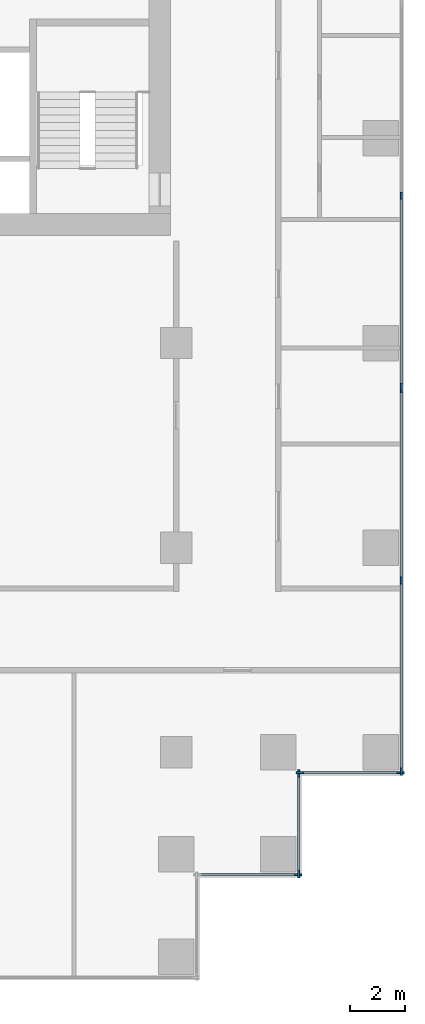
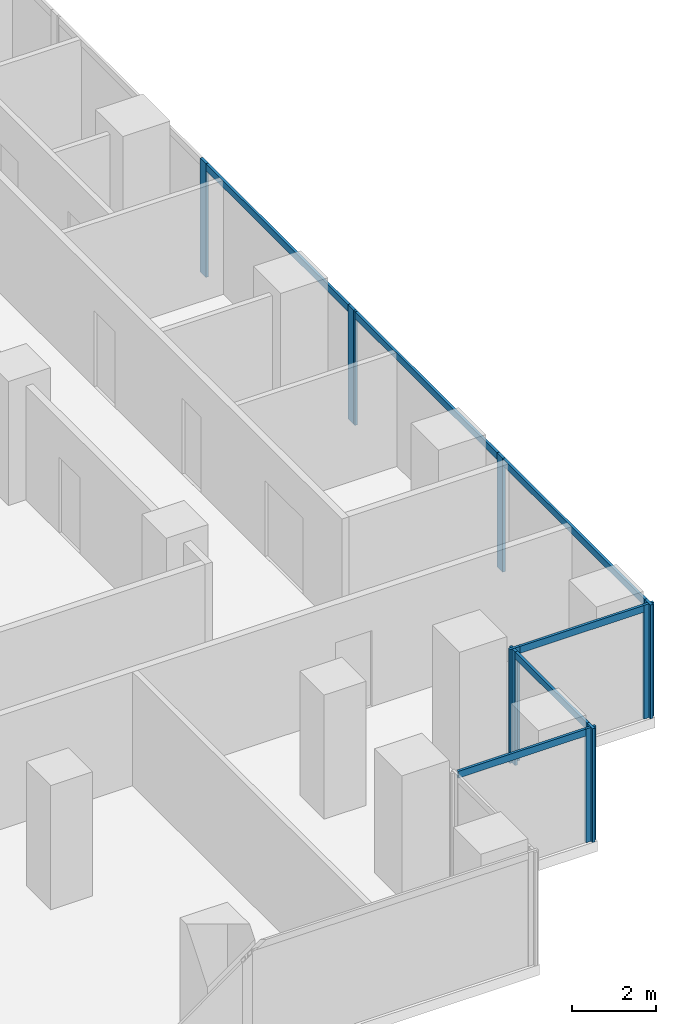
# One storey, part 3 of 10: 16 members, 5 elements without a shape of their own.
"""IFC4 building model written with IfcOpenShell, lengths in metres."""

from ifc_helpers import new_model, si_unit, direction, frame, origin, origin_2d, place, context, subcontext, project, spatial, rectangle, extrude, material, material_profile, profile_set, type_object, element, aggregate, save


model = new_model("IFC4")

# Units and contexts
model_context = context("Model", 3, precision=1e-05, world=origin(), true_north=direction((0.0, 1.0)))
body_context = subcontext(model_context, "Body", "Model", "MODEL_VIEW")
ifc_project = project(units=[si_unit("LENGTHUNIT", "METRE"), si_unit("AREAUNIT", "SQUARE_METRE"), si_unit("VOLUMEUNIT", "CUBIC_METRE"), si_unit("PLANEANGLEUNIT", "RADIAN"), si_unit("MASSUNIT", "GRAM", prefix="KILO")], contexts=[model_context])

# Site, building, storey
site_placement = place(None, origin())
site = spatial("IfcSite", under=ifc_project, at=site_placement, CompositionType="ELEMENT")
building_placement = place(site_placement, origin())
building = spatial("IfcBuilding", under=site, at=building_placement, Name="Pilkhan Gate Tower", CompositionType="ELEMENT")
storey_placement = place(building_placement, frame((0.0, 0.0, 132.39990234375)))
storey = spatial("IfcBuildingStorey", under=building, at=storey_placement, Name="L33", CompositionType="ELEMENT", Elevation=132.39990234375)

# Curtain wall, members
ifc_material_1 = material(Name="Pale anodised aluminium, clear low-iron double glazing", Category="aluminium")
curtain_wall_type = type_object("IfcCurtainWallType", Name="Office unitised curtain wall CW-O1", PredefinedType="USERDEFINED", material=ifc_material_1)
curtain_wall_1_placement = place(storey_placement, origin())
curtain_wall_1 = element("IfcCurtainWall", 1, at=curtain_wall_1_placement, inside=storey, type_object=curtain_wall_type, Name="Office unitised curtain wall CW-O1 L33 E", ObjectType="UNITISED CURTAIN WALL", PredefinedType="USERDEFINED")
ifc_material_2 = material(Name="Pale anodised aluminium", Category="aluminium")
ifc_material_profile_1 = material_profile(ifc_material_2, rectangle(XDim=0.070068359375, YDim=0.27490234375, at=origin_2d()), Name="Mullion 275x70")
ifc_profile_set_1 = profile_set([ifc_material_profile_1], Name="Pale anodised aluminium")
member_type_1 = type_object("IfcMemberType", Name="Mullion CW-O1 275x70", PredefinedType="MULLION", material=ifc_profile_set_1)
member_1_placement = place(storey_placement, frame((98.25, 51.784912109375, 0.0), z_axis=(0.0, 0.0, 1.0), x_axis=(-1.0, 0.0, 0.0)))
member_1 = element("IfcMember", 2, at=member_1_placement, type_object=member_type_1, Name="CW-O1 mullion 1", PredefinedType="MULLION", context=body_context, shape_type="SweptSolid", body=[
    extrude(rectangle(XDim=0.070068359375, YDim=0.27490234375, at=origin_2d()), origin(), (0.0, 0.0, 1.0), 3.300048828125),
])
member_2_placement = place(storey_placement, frame((98.25, 58.800048828125, 0.0), z_axis=(0.0, 0.0, 1.0), x_axis=(-1.0, 0.0, 0.0)))
member_2 = element("IfcMember", 3, at=member_2_placement, type_object=member_type_1, Name="CW-O1 mullion 2", PredefinedType="MULLION", context=body_context, shape_type="SweptSolid", body=[
    extrude(rectangle(XDim=0.070068359375, YDim=0.27490234375, at=origin_2d()), origin(), (0.0, 0.0, 1.0), 3.300048828125),
])
member_3_placement = place(storey_placement, frame((98.25, 65.81494140625, 0.0), z_axis=(0.0, 0.0, 1.0), x_axis=(-1.0, 0.0, 0.0)))
member_3 = element("IfcMember", 4, at=member_3_placement, type_object=member_type_1, Name="CW-O1 mullion 3", PredefinedType="MULLION", context=body_context, shape_type="SweptSolid", body=[
    extrude(rectangle(XDim=0.070068359375, YDim=0.27490234375, at=origin_2d()), origin(), (0.0, 0.0, 1.0), 3.300048828125),
])

curtain_wall_2_placement = place(storey_placement, origin())
curtain_wall_2 = element("IfcCurtainWall", 5, at=curtain_wall_2_placement, inside=storey, type_object=curtain_wall_type, Name="Office unitised curtain wall CW-O1 L33 E", ObjectType="UNITISED CURTAIN WALL", PredefinedType="USERDEFINED")
member_4_placement = place(storey_placement, frame((98.25, 65.885009765625, 0.0), z_axis=(0.0, 0.0, 1.0), x_axis=(-1.0, 0.0, 0.0)))
member_4 = element("IfcMember", 6, at=member_4_placement, type_object=member_type_1, Name="CW-O1 mullion 1", PredefinedType="MULLION", context=body_context, shape_type="SweptSolid", body=[
    extrude(rectangle(XDim=0.070068359375, YDim=0.27490234375, at=origin_2d()), origin(), (0.0, 0.0, 1.0), 3.300048828125),
])
member_5_placement = place(storey_placement, frame((98.25, 72.89990234375, 0.0), z_axis=(0.0, 0.0, 1.0), x_axis=(-1.0, 0.0, 0.0)))
member_5 = element("IfcMember", 7, at=member_5_placement, type_object=member_type_1, Name="CW-O1 mullion 2", PredefinedType="MULLION", context=body_context, shape_type="SweptSolid", body=[
    extrude(rectangle(XDim=0.070068359375, YDim=0.27490234375, at=origin_2d()), origin(), (0.0, 0.0, 1.0), 3.300048828125),
])

# Curtain wall, member
curtain_wall_3_placement = place(storey_placement, origin())
curtain_wall_3 = element("IfcCurtainWall", 8, at=curtain_wall_3_placement, inside=storey, type_object=curtain_wall_type, Name="Office unitised curtain wall CW-O1 L33 S", ObjectType="UNITISED CURTAIN WALL", PredefinedType="USERDEFINED")
member_6_placement = place(storey_placement, frame((94.465087890625, 48.0, 0.0), z_axis=(0.0, 0.0, 1.0), x_axis=(0.0, 1.0, 0.0)))
member_6 = element("IfcMember", 9, at=member_6_placement, type_object=member_type_1, Name="CW-O1 mullion 2", PredefinedType="MULLION", context=body_context, shape_type="SweptSolid", body=[
    extrude(rectangle(XDim=0.070068359375, YDim=0.27490234375, at=origin_2d()), origin(), (0.0, 0.0, 1.0), 3.300048828125),
])

# Curtain wall, members
curtain_wall_4_placement = place(storey_placement, origin())
curtain_wall_4 = element("IfcCurtainWall", 10, at=curtain_wall_4_placement, inside=storey, type_object=curtain_wall_type, Name="Office unitised curtain wall CW-O1 L33 E", ObjectType="UNITISED CURTAIN WALL", PredefinedType="USERDEFINED")
member_7_placement = place(storey_placement, frame((94.5, 48.034912109375, 0.0), z_axis=(0.0, 0.0, 1.0), x_axis=(-1.0, 0.0, 0.0)))
member_7 = element("IfcMember", 11, at=member_7_placement, type_object=member_type_1, Name="CW-O1 mullion 1", PredefinedType="MULLION", context=body_context, shape_type="SweptSolid", body=[
    extrude(rectangle(XDim=0.070068359375, YDim=0.27490234375, at=origin_2d()), origin(), (0.0, 0.0, 1.0), 3.300048828125),
])
member_8_placement = place(storey_placement, frame((94.5, 51.715087890625, 0.0), z_axis=(0.0, 0.0, 1.0), x_axis=(-1.0, 0.0, 0.0)))
member_8 = element("IfcMember", 12, at=member_8_placement, type_object=member_type_1, Name="CW-O1 mullion 2", PredefinedType="MULLION", context=body_context, shape_type="SweptSolid", body=[
    extrude(rectangle(XDim=0.070068359375, YDim=0.27490234375, at=origin_2d()), origin(), (0.0, 0.0, 1.0), 3.300048828125),
])

curtain_wall_5_placement = place(storey_placement, origin())
curtain_wall_5 = element("IfcCurtainWall", 13, at=curtain_wall_5_placement, inside=storey, type_object=curtain_wall_type, Name="Office unitised curtain wall CW-O1 L33 S", ObjectType="UNITISED CURTAIN WALL", PredefinedType="USERDEFINED")
member_9_placement = place(storey_placement, frame((94.534912109375, 51.75, 0.0), z_axis=(0.0, 0.0, 1.0), x_axis=(0.0, 1.0, 0.0)))
member_9 = element("IfcMember", 14, at=member_9_placement, type_object=member_type_1, Name="CW-O1 mullion 1", PredefinedType="MULLION", context=body_context, shape_type="SweptSolid", body=[
    extrude(rectangle(XDim=0.070068359375, YDim=0.27490234375, at=origin_2d()), origin(), (0.0, 0.0, 1.0), 3.300048828125),
])
member_10_placement = place(storey_placement, frame((98.215087890625, 51.75, 0.0), z_axis=(0.0, 0.0, 1.0), x_axis=(0.0, 1.0, 0.0)))
member_10 = element("IfcMember", 15, at=member_10_placement, type_object=member_type_1, Name="CW-O1 mullion 2", PredefinedType="MULLION", context=body_context, shape_type="SweptSolid", body=[
    extrude(rectangle(XDim=0.070068359375, YDim=0.27490234375, at=origin_2d()), origin(), (0.0, 0.0, 1.0), 3.300048828125),
])

# Member
ifc_material_profile_2 = material_profile(ifc_material_2, rectangle(XDim=0.070068359375, YDim=0.199951171875, at=origin_2d()), Name="Transom 200x70")
ifc_profile_set_2 = profile_set([ifc_material_profile_2], Name="Pale anodised aluminium")
member_type_2 = type_object("IfcMemberType", Name="Transom CW-O1 200x70", PredefinedType="USERDEFINED", material=ifc_profile_set_2)
member_11_placement = place(storey_placement, frame((98.25, 51.820068359375, 3.2001953125), z_axis=(0.0, 1.0, 0.0), x_axis=(-1.0, 0.0, 0.0)))
member_11 = element("IfcMember", 16, at=member_11_placement, type_object=member_type_2, Name="CW-O1 transom 1", ObjectType="TRANSOM", PredefinedType="USERDEFINED", context=body_context, shape_type="SweptSolid", body=[
    extrude(rectangle(XDim=0.070068359375, YDim=0.199951171875, at=origin_2d()), origin(), (0.0, 0.0, 1.0), 6.94482421875),
])

member_12_placement = place(storey_placement, frame((98.25, 58.8349609375, 3.2001953125), z_axis=(0.0, 1.0, 0.0), x_axis=(-1.0, 0.0, 0.0)))
member_12 = element("IfcMember", 17, at=member_12_placement, type_object=member_type_2, Name="CW-O1 transom 2", ObjectType="TRANSOM", PredefinedType="USERDEFINED", context=body_context, shape_type="SweptSolid", body=[
    extrude(rectangle(XDim=0.070068359375, YDim=0.199951171875, at=origin_2d()), origin(), (0.0, 0.0, 1.0), 6.945068359375),
])

aggregate(curtain_wall_1, [member_1, member_2, member_3, member_11, member_12])

member_13_placement = place(storey_placement, frame((98.25, 65.919921875, 3.2001953125), z_axis=(0.0, 1.0, 0.0), x_axis=(-1.0, 0.0, 0.0)))
member_13 = element("IfcMember", 18, at=member_13_placement, type_object=member_type_2, Name="CW-O1 transom 1", ObjectType="TRANSOM", PredefinedType="USERDEFINED", context=body_context, shape_type="SweptSolid", body=[
    extrude(rectangle(XDim=0.070068359375, YDim=0.199951171875, at=origin_2d()), origin(), (0.0, 0.0, 1.0), 6.945068359375),
])

aggregate(curtain_wall_2, [member_4, member_5, member_13])

member_14_placement = place(storey_placement, frame((90.820068359375, 48.0, 3.2001953125), z_axis=(1.0, 0.0, 0.0), x_axis=(0.0, 1.0, 0.0)))
member_14 = element("IfcMember", 19, at=member_14_placement, type_object=member_type_2, Name="CW-O1 transom 1", ObjectType="TRANSOM", PredefinedType="USERDEFINED", context=body_context, shape_type="SweptSolid", body=[
    extrude(rectangle(XDim=0.070068359375, YDim=0.199951171875, at=origin_2d()), origin(), (0.0, 0.0, 1.0), 3.60986328125),
])

aggregate(curtain_wall_3, [member_6, member_14])

member_15_placement = place(storey_placement, frame((94.5, 48.070068359375, 3.2001953125), z_axis=(0.0, 1.0, 0.0), x_axis=(-1.0, 0.0, 0.0)))
member_15 = element("IfcMember", 20, at=member_15_placement, type_object=member_type_2, Name="CW-O1 transom 1", ObjectType="TRANSOM", PredefinedType="USERDEFINED", context=body_context, shape_type="SweptSolid", body=[
    extrude(rectangle(XDim=0.070068359375, YDim=0.199951171875, at=origin_2d()), origin(), (0.0, 0.0, 1.0), 3.60986328125),
])

aggregate(curtain_wall_4, [member_7, member_8, member_15])

member_16_placement = place(storey_placement, frame((94.570068359375, 51.75, 3.2001953125), z_axis=(1.0, 0.0, 0.0), x_axis=(0.0, 1.0, 0.0)))
member_16 = element("IfcMember", 21, at=member_16_placement, type_object=member_type_2, Name="CW-O1 transom 1", ObjectType="TRANSOM", PredefinedType="USERDEFINED", context=body_context, shape_type="SweptSolid", body=[
    extrude(rectangle(XDim=0.070068359375, YDim=0.199951171875, at=origin_2d()), origin(), (0.0, 0.0, 1.0), 3.60986328125),
])

aggregate(curtain_wall_5, [member_9, member_10, member_16])

save(model, "model.ifc")
